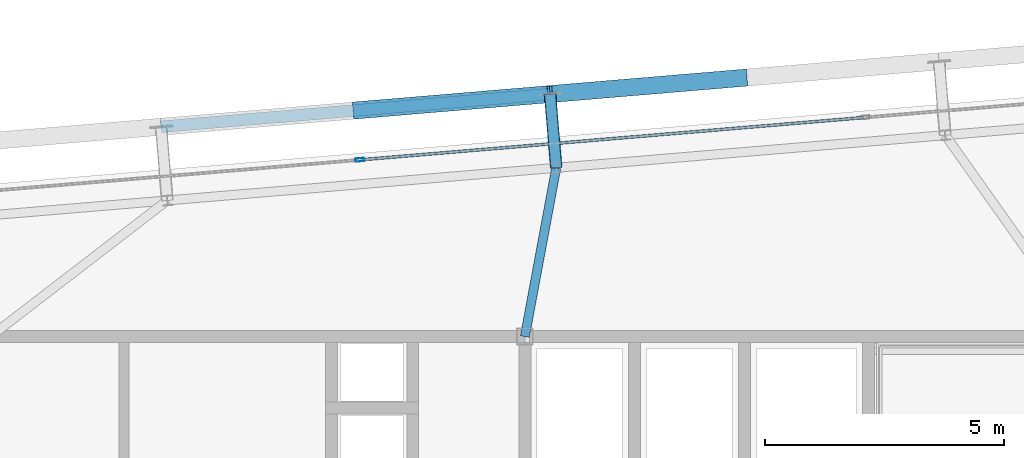
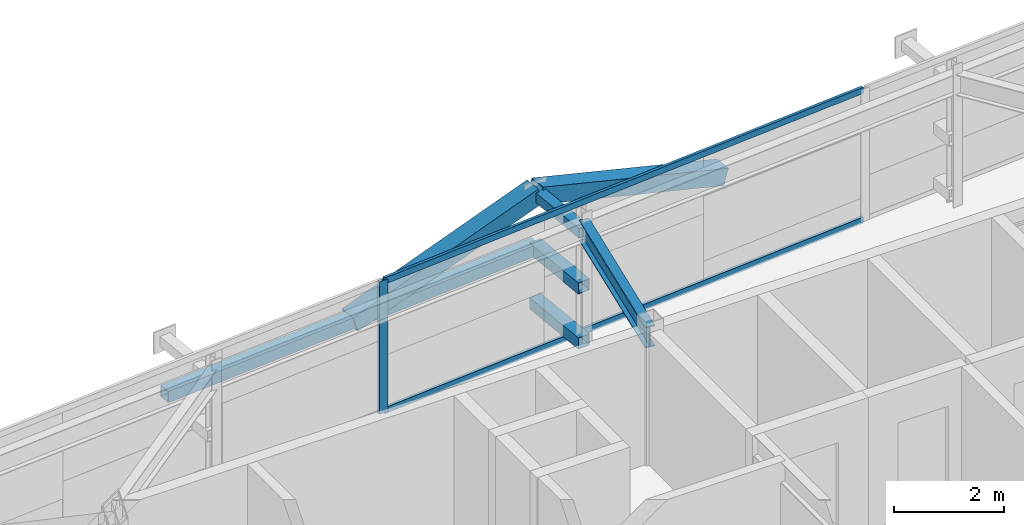
# One storey, part 23 of 37: 9 members, 1 beam, 1 element without a shape of its own.
"""IFC4 building model written with IfcOpenShell, lengths in metres."""

from ifc_helpers import new_model, si_unit, direction, frame, origin, origin_2d, place, context, subcontext, project, spatial, hollow_rectangle, i_section, extrude, source, transform, mapped, material, layer, layer_set, material_profile, profile_set, type_object, element, aggregate, save


model = new_model("IFC4")

# Units and contexts
model_context = context("Model", 3, precision=1e-05, world=origin(), true_north=direction((0.0, 1.0)))
body_context = subcontext(model_context, "Body", "Model", "MODEL_VIEW")
ifc_project = project(units=[si_unit("LENGTHUNIT", "METRE"), si_unit("AREAUNIT", "SQUARE_METRE"), si_unit("VOLUMEUNIT", "CUBIC_METRE"), si_unit("PLANEANGLEUNIT", "RADIAN"), si_unit("MASSUNIT", "GRAM", prefix="KILO")], contexts=[model_context])

# Site, building, storey
site_placement = place(None, origin())
site = spatial("IfcSite", under=ifc_project, at=site_placement, CompositionType="ELEMENT")
building_placement = place(site_placement, origin())
building = spatial("IfcBuilding", under=site, at=building_placement, Name="Taldren Reach Tower", CompositionType="ELEMENT")
storey_placement = place(building_placement, frame((0.0, 0.0, 172.550048828125)))
storey = spatial("IfcBuildingStorey", under=building, at=storey_placement, Name="L52", CompositionType="ELEMENT", Elevation=172.550048828125)

# Members
ifc_material_1 = material(Name="Steel Gr 350 (C350L0)", Category="steel")
ifc_material_profile_1 = material_profile(ifc_material_1, hollow_rectangle(XDim=0.25, YDim=0.25, WallThickness=0.010009765625, at=origin_2d()), Name="250x250x10.0SHS")
ifc_profile_set_1 = profile_set([ifc_material_profile_1], Name="Steel Gr 350 (C350L0)")
member_type_1 = type_object("IfcMemberType", Name="MB-POST250", PredefinedType="POST", material=ifc_profile_set_1)
shared_shape_1 = source(origin(), body_context, "Body", "SweptSolid", [
    extrude(hollow_rectangle(XDim=0.25, YDim=0.25, WallThickness=0.010009765625, at=origin_2d()), origin(), (0.0, 0.0, 1.0), 1.5498046875),
])
for number, where, z_axis, x_axis, name in (
    (1, (39.857666015625, 35.537109375, 0.219970703125), (-0.083645141657, 0.996495604746, 0.0), (-0.996495604746, -0.083645141657, 0.0), "Exoskeleton base diaphragm tie strut B4-N4 L52"),
    (2, (39.857666015625, 35.537109375, 1.43505859375), (-0.083645141657, 0.996495604746, 0.0), (-0.996495604746, -0.083645141657, 0.0), "Exoskeleton mid-tier diaphragm tie B4-N4 L52"),
):
    element("IfcMember", number, at=place(storey_placement, frame(where, z_axis=z_axis, x_axis=x_axis)), inside=storey, type_object=member_type_1, Name=name, PredefinedType="POST", context=body_context, shape_type="MappedRepresentation", body=[
        mapped(shared_shape_1, transform((0.0, 0.0, 0.0), scale=1.0)),
    ])

# Beam
ifc_material_2 = material(Name="Steel Gr 350 (350PLUS)", Category="steel")
ifc_material_profile_2 = material_profile(ifc_material_2, i_section(OverallWidth=0.19091796875, OverallDepth=0.4599609375, WebThickness=0.010009765625, FlangeThickness=0.01611328125, at=origin_2d()), Name="460UB82.1")
ifc_profile_set_2 = profile_set([ifc_material_profile_2], Name="Steel Gr 350 (350PLUS)")
beam_type = type_object("IfcBeamType", Name="BM-UB460A", PredefinedType="BEAM", material=ifc_profile_set_2)
shared_shape_2 = source(origin(), body_context, "Body", "SweptSolid", [
    extrude(i_section(OverallWidth=0.19091796875, OverallDepth=0.4599609375, WebThickness=0.010009765625, FlangeThickness=0.01611328125, at=origin_2d()), origin(), (0.0, 0.0, 1.0), 3.59765625),
])
beam_placement = place(storey_placement, frame((39.199951171875, 32.0, 2.699951171875), z_axis=(0.182813344882, 0.983147639438, 0.0), x_axis=(-0.983147639438, 0.182813344882, 0.0)))
element("IfcBeam", 3, at=beam_placement, inside=storey, type_object=beam_type, Name="Primary floor girder B4-N4 L52", PredefinedType="BEAM", context=body_context, shape_type="MappedRepresentation", body=[
    mapped(shared_shape_2, transform((0.0, 0.0, 0.0), scale=1.0)),
])

# Members
ifc_material_3 = material(Name="Steel Gr 450 (C450L0)", Category="steel")
ifc_material_profile_3 = material_profile(ifc_material_3, hollow_rectangle(XDim=0.219970703125, YDim=0.219970703125, WallThickness=0.00830078125, at=origin_2d()), Name="220x220x8.2SHS")
ifc_profile_set_3 = profile_set([ifc_material_profile_3], Name="Steel Gr 450 (C450L0)")
member_type_2 = type_object("IfcMemberType", Name="MB-TIE219", PredefinedType="STRUT", material=ifc_profile_set_3)
shared_shape_3 = source(origin(), body_context, "Body", "SweptSolid", [
    extrude(hollow_rectangle(XDim=0.219970703125, YDim=0.219970703125, WallThickness=0.00830078125, at=origin_2d()), origin(), (0.0, 0.0, 1.0), 1.5498046875),
])
member_1_placement = place(storey_placement, frame((39.857666015625, 35.537109375, 2.64990234375), z_axis=(-0.083645141657, 0.996495604746, 0.0), x_axis=(-0.996495604746, -0.083645141657, 0.0)))
element("IfcMember", 4, at=member_1_placement, inside=storey, type_object=member_type_2, Name="Exoskeleton diaphragm tie strut B4-N4 L52", PredefinedType="STRUT", context=body_context, shape_type="MappedRepresentation", body=[
    mapped(shared_shape_3, transform((0.0, 0.0, 0.0), scale=1.0)),
])
shared_shape_4 = source(origin(), body_context, "Body", "SweptSolid", [
    extrude(hollow_rectangle(XDim=0.25, YDim=0.25, WallThickness=0.010009765625, at=origin_2d()), origin(), (0.0, 0.0, 1.0), 8.18017578125),
])
member_2_placement = place(storey_placement, frame((31.57666015625, 36.39697265625, 1.43505859375), z_axis=(0.996492034688, 0.083687662192, 0.0), x_axis=(-0.083687662192, 0.996492034688, 0.0)))
element("IfcMember", 5, at=member_2_placement, inside=storey, type_object=member_type_1, Name="Exoskeleton mid-height ring chord B4-N3 L52", PredefinedType="POST", context=body_context, shape_type="MappedRepresentation", body=[
    mapped(shared_shape_4, transform((0.0, 0.0, 0.0), scale=1.0)),
])
ifc_material_profile_4 = material_profile(ifc_material_3, hollow_rectangle(XDim=0.360107421875, YDim=0.360107421875, WallThickness=0.0126953125, at=origin_2d()), Name="360x360x12.7SHS")
ifc_profile_set_4 = profile_set([ifc_material_profile_4], Name="Steel Gr 450 (C450L0)")
member_type_3 = type_object("IfcMemberType", Name="MB-EXO356", PredefinedType="BRACE", material=ifc_profile_set_4)
shared_shape_5 = source(origin(), body_context, "Body", "SweptSolid", [
    extrude(hollow_rectangle(XDim=0.360107421875, YDim=0.360107421875, WallThickness=0.0126953125, at=origin_2d()), origin(), (0.0, 0.0, 1.0), 4.2666015625),
])
for number, where, z_axis, x_axis, name in (
    (6, (35.65234375, 36.7392578125, 1.43505859375), (0.955244723646, 0.080223619417, 0.284730906006), (-0.083687662192, 0.996492034688, 0.0), "Exoskeleton Diagrid Brace B4-N3 L52"),
    (7, (43.8037109375, 37.423828125, 1.43505859375), (-0.955244723646, -0.080223619417, 0.284730906006), (0.083687662192, -0.996492034688, 0.0), "Exoskeleton Diagrid Brace B4-N4 L52"),
):
    element("IfcMember", number, at=place(storey_placement, frame(where, z_axis=z_axis, x_axis=x_axis)), inside=storey, type_object=member_type_3, Name=name, PredefinedType="BRACE", context=body_context, shape_type="MappedRepresentation", body=[
        mapped(shared_shape_5, transform((0.0, 0.0, 0.0), scale=1.0)),
    ])

# Curtain wall, members
ifc_material_4 = material(Name="Aluminium and Low-E Glass Unitised System", Category="aluminium")
ifc_layer = layer(ifc_material_4, 0.159912109375)
ifc_layer_set = layer_set([ifc_layer], Name="Aluminium and Low-E Glass Unitised System")
curtain_wall_type = type_object("IfcCurtainWallType", Name="CW-SYS-5", PredefinedType="NOTDEFINED", material=ifc_layer_set)
curtain_wall_placement = place(storey_placement, origin())
curtain_wall = element("IfcCurtainWall", 8, at=curtain_wall_placement, inside=storey, type_object=curtain_wall_type, Name="Unitised curtain wall CW-L52-N", PredefinedType="NOTDEFINED")
ifc_material_5 = material(Name="Anodised Aluminium 6063-T6", Category="aluminium")
ifc_material_profile_5 = material_profile(ifc_material_5, hollow_rectangle(XDim=0.070068359375, YDim=0.179931640625, WallThickness=0.00390625, at=origin_2d()), Name="ALU-180x70x4RHS")
ifc_profile_set_5 = profile_set([ifc_material_profile_5], Name="Anodised Aluminium 6063-T6")
member_type_4 = type_object("IfcMemberType", Name="CW-MUL-180", PredefinedType="MULLION", material=ifc_profile_set_5)
shared_shape_6 = source(origin(), body_context, "Body", "SweptSolid", [
    extrude(hollow_rectangle(XDim=0.070068359375, YDim=0.179931640625, WallThickness=0.00390625, at=origin_2d()), origin(), (0.0, 0.0, 1.0), 2.929931640625),
])
member_3_placement = place(storey_placement, frame((35.739501953125, 35.702880859375, 0.0), z_axis=(0.0, 0.0, 1.0), x_axis=(0.083677875247, -0.99649285657, 0.0)))
member_3 = element("IfcMember", 9, at=member_3_placement, type_object=member_type_4, Name="CW-5 mullion 3", PredefinedType="MULLION", context=body_context, shape_type="MappedRepresentation", body=[
    mapped(shared_shape_6, transform((0.0, 0.0, 0.0), scale=1.0)),
])
ifc_material_profile_6 = material_profile(ifc_material_5, hollow_rectangle(XDim=0.06005859375, YDim=0.135009765625, WallThickness=0.00341796875, at=origin_2d()), Name="ALU-135x60x3.5RHS")
ifc_profile_set_6 = profile_set([ifc_material_profile_6], Name="Anodised Aluminium 6063-T6")
member_type_5 = type_object("IfcMemberType", Name="CW-TRN-150", PredefinedType="USERDEFINED", material=ifc_profile_set_6)
shared_shape_7 = source(origin(), body_context, "Body", "SweptSolid", [
    extrude(hollow_rectangle(XDim=0.06005859375, YDim=0.135009765625, WallThickness=0.00341796875, at=origin_2d()), origin(), (0.0, 0.0, 1.0), 10.55517578125),
])
member_4_placement = place(storey_placement, frame((46.292236328125, 36.589111328125, 0.030029296875), z_axis=(-0.996492274094, -0.083684811468, 0.0), x_axis=(0.083684811468, -0.996492274094, 0.0)))
member_4 = element("IfcMember", 10, at=member_4_placement, type_object=member_type_5, Name="CW-5 transom 2.1", ObjectType="TRANSOM", PredefinedType="USERDEFINED", context=body_context, shape_type="MappedRepresentation", body=[
    mapped(shared_shape_7, transform((0.0, 0.0, 0.0), scale=1.0)),
])
member_5_placement = place(storey_placement, frame((46.292236328125, 36.589111328125, 2.89990234375), z_axis=(-0.996492274094, -0.083684811468, 0.0), x_axis=(0.083684811468, -0.996492274094, 0.0)))
member_5 = element("IfcMember", 11, at=member_5_placement, type_object=member_type_5, Name="CW-5 transom 2.2", ObjectType="TRANSOM", PredefinedType="USERDEFINED", context=body_context, shape_type="MappedRepresentation", body=[
    mapped(shared_shape_7, transform((0.0, 0.0, 0.0), scale=1.0)),
])
aggregate(curtain_wall, [member_3, member_4, member_5])

save(model, "model.ifc")
